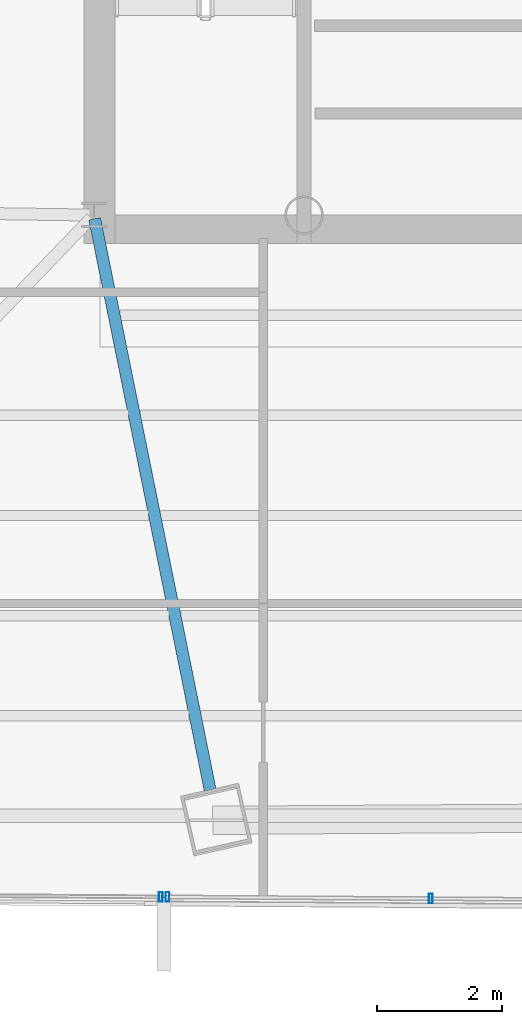
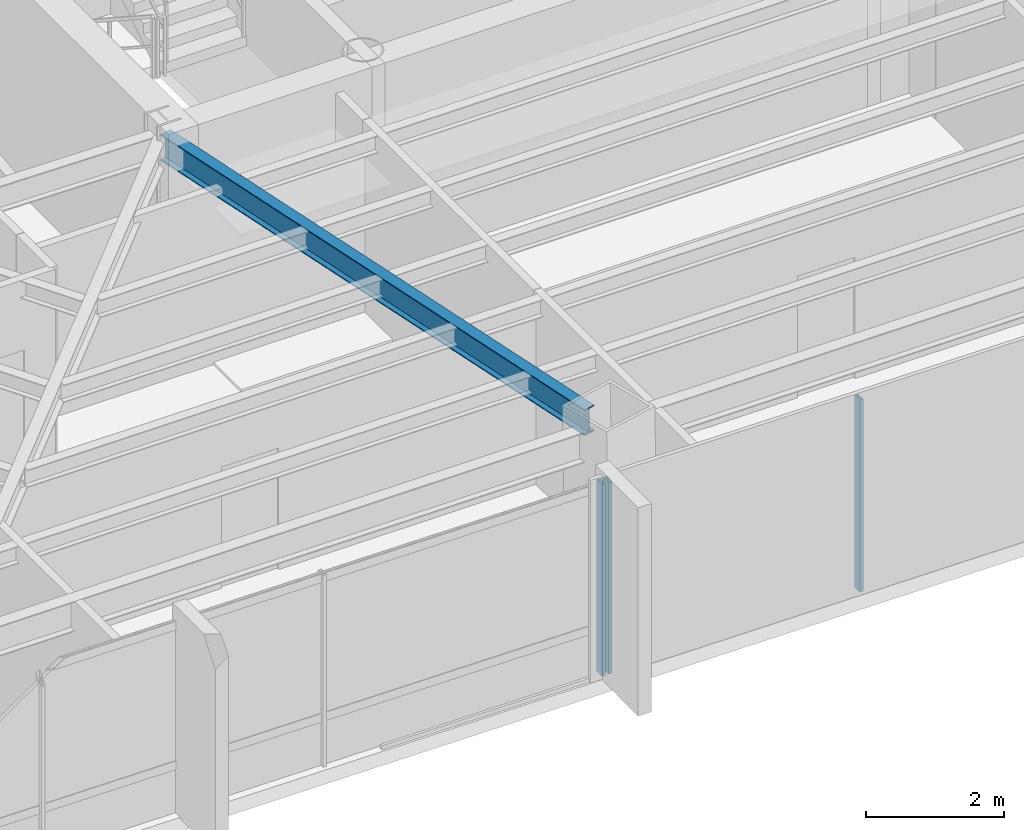
# One storey, part 8 of 40: 3 members, 1 beam, 2 elements without a shape of their own.
"""IFC4 building model written with IfcOpenShell, lengths in metres."""

from ifc_helpers import new_model, si_unit, direction, frame, origin, origin_2d, place, context, subcontext, project, spatial, hollow_rectangle, i_section, extrude, source, transform, mapped, material, material_profile, profile_set, type_object, type_shapes, element, aggregate, save


model = new_model("IFC4")

# Units and contexts
model_context = context("Model", 3, precision=1e-05, world=origin(), true_north=direction((0.0, 1.0)))
body_context = subcontext(model_context, "Body", "Model", "MODEL_VIEW")
ifc_project = project(units=[si_unit("LENGTHUNIT", "METRE"), si_unit("AREAUNIT", "SQUARE_METRE"), si_unit("VOLUMEUNIT", "CUBIC_METRE"), si_unit("PLANEANGLEUNIT", "RADIAN"), si_unit("MASSUNIT", "GRAM", prefix="KILO")], contexts=[model_context])

# Site, building, storey
site_placement = place(None, origin())
site = spatial("IfcSite", under=ifc_project, at=site_placement, CompositionType="ELEMENT")
building_placement = place(site_placement, origin())
building = spatial("IfcBuilding", under=site, at=building_placement, Name="Caelisora Broadcast Tower", CompositionType="ELEMENT")
storey_placement = place(building_placement, frame((0.0, 0.0, 176.75)))
storey = spatial("IfcBuildingStorey", under=building, at=storey_placement, Name="L46", CompositionType="ELEMENT", Elevation=176.75)

# Beam
ifc_material_1 = material(Name="Steel Grade 350 (AS/NZS 3679.1)", Category="steel")
ifc_material_profile_1 = material_profile(ifc_material_1, i_section(OverallWidth=0.19091796875, OverallDepth=0.46044921875, WebThickness=0.010009765625, FlangeThickness=0.01611328125, at=origin_2d()), Name="Steel Grade 350 (AS/NZS 3679.1)")
ifc_profile_set_1 = profile_set([ifc_material_profile_1], Name="Steel Grade 350 (AS/NZS 3679.1)")
beam_type = type_object("IfcBeamType", Name="PG06", PredefinedType="BEAM", material=ifc_profile_set_1)
shared_shape_1 = source(origin(), body_context, "Body", "SweptSolid", [
    extrude(i_section(OverallWidth=0.19091796875, OverallDepth=0.46044921875, WebThickness=0.010009765625, FlangeThickness=0.01611328125, at=origin_2d()), origin(), (0.0, 0.0, 1.0), 9.287353515625),
])
type_shapes(beam_type, [shared_shape_1])
beam_placement = place(storey_placement, frame((30.511962890625, 17.34130859375, 3.169921875), z_axis=(0.198259095627, -0.980149647248, 0.0), x_axis=(0.980149647248, 0.198259095627, 0.0)))
element("IfcBeam", 1, at=beam_placement, inside=storey, type_object=beam_type, Name="L46 beam PG06", PredefinedType="BEAM", context=body_context, shape_type="MappedRepresentation", body=[
    mapped(shared_shape_1, transform((0.0, 0.0, 0.0), scale=1.0)),
])

# Curtain wall, members
ifc_material_2 = material(Name="Unitised Aluminium Insulated Shadow-Box Spandrel Curtain Wall", Category="aluminium")
curtain_wall_type_1 = type_object("IfcCurtainWallType", Name="CW-SP2", PredefinedType="NOTDEFINED", material=ifc_material_2)
curtain_wall_1_placement = place(storey_placement, origin())
curtain_wall_1 = element("IfcCurtainWall", 2, at=curtain_wall_1_placement, inside=storey, type_object=curtain_wall_type_1, Name="L46 curtain wall CW-SP2", PredefinedType="NOTDEFINED")
ifc_material_3 = material(Name="Aluminium 6063-T6 Anodised Terracotta Bronze", Category="aluminium")
ifc_material_profile_2 = material_profile(ifc_material_3, hollow_rectangle(XDim=0.06005859375, YDim=0.14990234375, WallThickness=0.00341796875, at=origin_2d()), Name="Aluminium 6063-T6 Anodised Terracotta Bronze")
ifc_profile_set_2 = profile_set([ifc_material_profile_2], Name="Aluminium 6063-T6 Anodised Terracotta Bronze")
member_type = type_object("IfcMemberType", Name="CWM-03", PredefinedType="MULLION", material=ifc_profile_set_2)
shared_shape_2 = source(origin(), body_context, "Body", "SweptSolid", [
    extrude(hollow_rectangle(XDim=0.06005859375, YDim=0.14990234375, WallThickness=0.00341796875, at=origin_2d()), origin(), (0.0, 0.0, 1.0), 3.39990234375),
])
type_shapes(member_type, [shared_shape_2])
member_1_placement = place(storey_placement, frame((35.869384765625, 6.506103515625, 0.0), z_axis=(0.0, 0.0, 1.0), x_axis=(1.0, 0.0, 0.0)))
member_1 = element("IfcMember", 3, at=member_1_placement, type_object=member_type, Name="L46-CW-B06 mullion #2", PredefinedType="MULLION", context=body_context, shape_type="MappedRepresentation", body=[
    mapped(shared_shape_2, transform((0.0, 0.0, 0.0), scale=1.0)),
])
member_2_placement = place(storey_placement, frame((31.6748046875, 6.533935546875, 0.0), z_axis=(0.0, 0.0, 1.0), x_axis=(1.0, 0.0, 0.0)))
member_2 = element("IfcMember", 4, at=member_2_placement, type_object=member_type, Name="L46-CW-B06 mullion #3", PredefinedType="MULLION", context=body_context, shape_type="MappedRepresentation", body=[
    mapped(shared_shape_2, transform((0.0, 0.0, 0.0), scale=1.0)),
])
aggregate(curtain_wall_1, [member_1, member_2])

# Curtain wall, member
ifc_material_4 = material(Name="Unitised Aluminium and Low-E Glass Curtain Wall", Category="glass")
curtain_wall_type_2 = type_object("IfcCurtainWallType", Name="CW-Z3", PredefinedType="NOTDEFINED", material=ifc_material_4)
curtain_wall_2_placement = place(storey_placement, origin())
curtain_wall_2 = element("IfcCurtainWall", 5, at=curtain_wall_2_placement, inside=storey, type_object=curtain_wall_type_2, Name="L46 curtain wall CW-Z3", PredefinedType="NOTDEFINED")
member_3_placement = place(storey_placement, frame((31.56494140625, 6.53466796875, 0.0), z_axis=(0.0, 0.0, 1.0), x_axis=(1.0, 0.0, 0.0)))
member_3 = element("IfcMember", 6, at=member_3_placement, type_object=member_type, Name="L46-CW-B07 mullion #0", PredefinedType="MULLION", context=body_context, shape_type="MappedRepresentation", body=[
    mapped(shared_shape_2, transform((0.0, 0.0, 0.0), scale=1.0)),
])
aggregate(curtain_wall_2, [member_3])

save(model, "model.ifc")
